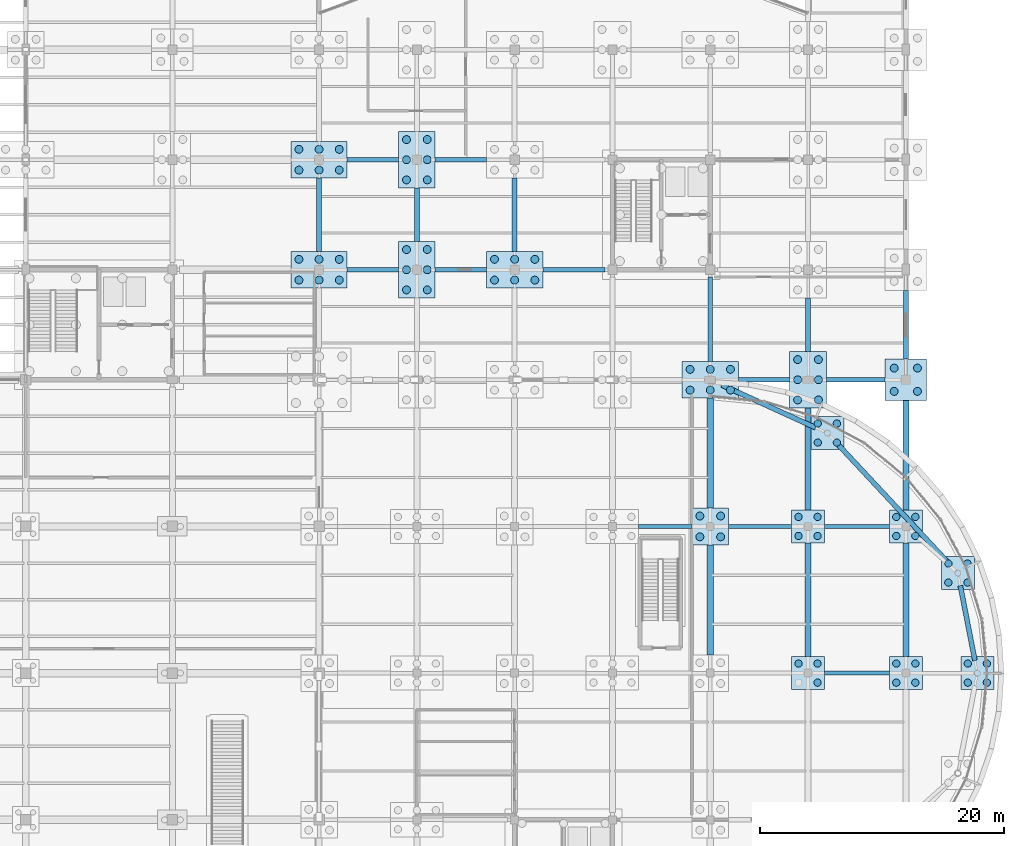
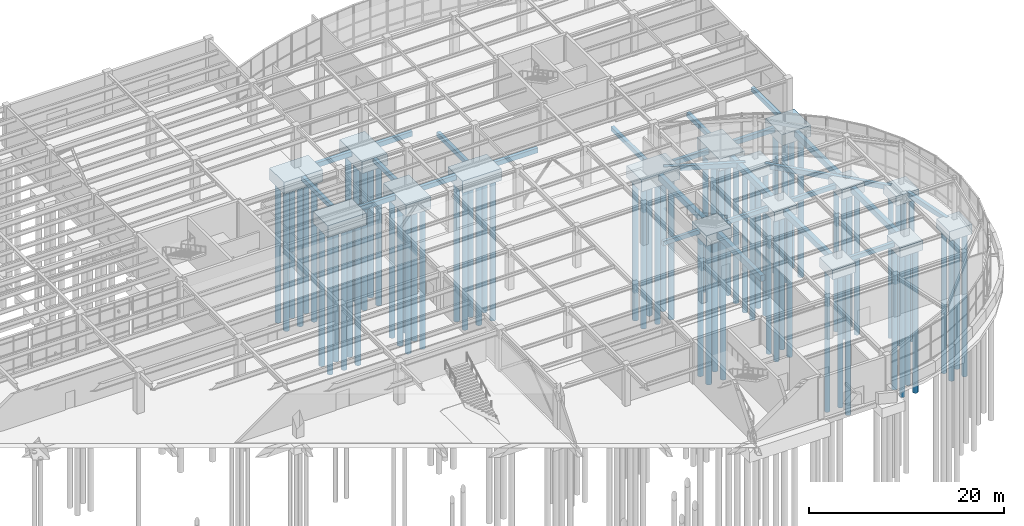
# One storey, part 9 of 85: 77 piles, 42 footings.
"""IFC4 building model written with IfcOpenShell, lengths in metres."""

from ifc_helpers import new_model, si_unit, direction, frame, origin, origin_2d, place, context, subcontext, project, spatial, polyline, rectangle, circle, outline, extrude, material, material_profile, profile_set, type_object, element, save


model = new_model("IFC4")

# Units and contexts
model_context = context("Model", 3, precision=1e-05, world=origin(), true_north=direction((0.0, 1.0)))
body_context = subcontext(model_context, "Body", "Model", "MODEL_VIEW")
ifc_project = project(units=[si_unit("LENGTHUNIT", "METRE"), si_unit("AREAUNIT", "SQUARE_METRE"), si_unit("VOLUMEUNIT", "CUBIC_METRE"), si_unit("PLANEANGLEUNIT", "RADIAN"), si_unit("MASSUNIT", "GRAM", prefix="KILO")], contexts=[model_context])

# Site, building, storey
site_placement = place(None, origin())
site = spatial("IfcSite", under=ifc_project, at=site_placement, CompositionType="ELEMENT")
building_placement = place(site_placement, origin())
building = spatial("IfcBuilding", under=site, at=building_placement, Name="Keelwater Ferry Terminal", CompositionType="ELEMENT")
storey_placement = place(building_placement, origin())
storey = spatial("IfcBuildingStorey", under=building, at=storey_placement, Name="L00", CompositionType="ELEMENT", Elevation=0.0)

# Piles
ifc_material_1 = material(Name="Concrete C45/55", Category="concrete")
ifc_material_profile_1 = material_profile(ifc_material_1, circle(Radius=0.324951171875, at=origin_2d()), Name="PILE D650")
ifc_profile_set_1 = profile_set([ifc_material_profile_1], Name="Concrete C45/55")
pile_type_1 = type_object("IfcPileType", Name="P2 PILE D650", PredefinedType="DRIVEN", material=ifc_profile_set_1)
for number, where, z_axis, x_axis, name in (
    (1, (130.35009765625, 98.14990234375, -1.800048828125), (0.0, 0.0, -1.0), (1.0, 0.0, 0.0), "Driven Pile 0375"),
    (2, (132.0, 98.14990234375, -1.800048828125), (0.0, 0.0, -1.0), (1.0, 0.0, 0.0), "Driven Pile 0376"),
    (3, (133.64990234375, 98.14990234375, -1.800048828125), (0.0, 0.0, -1.0), (1.0, 0.0, 0.0), "Driven Pile 0377"),
    (4, (130.35009765625, 99.85009765625, -1.800048828125), (0.0, 0.0, -1.0), (1.0, 0.0, 0.0), "Driven Pile 0378"),
    (5, (132.0, 99.85009765625, -1.800048828125), (0.0, 0.0, -1.0), (1.0, 0.0, 0.0), "Driven Pile 0379"),
    (6, (133.64990234375, 99.85009765625, -1.800048828125), (0.0, 0.0, -1.0), (1.0, 0.0, 0.0), "Driven Pile 0380"),
    (7, (130.35009765625, 107.14990234375, -1.800048828125), (0.0, 0.0, -1.0), (1.0, 0.0, 0.0), "Driven Pile 0381"),
    (8, (132.0, 107.14990234375, -1.800048828125), (0.0, 0.0, -1.0), (1.0, 0.0, 0.0), "Driven Pile 0382"),
    (9, (133.64990234375, 107.14990234375, -1.800048828125), (0.0, 0.0, -1.0), (1.0, 0.0, 0.0), "Driven Pile 0383"),
    (10, (130.35009765625, 108.85009765625, -1.800048828125), (0.0, 0.0, -1.0), (1.0, 0.0, 0.0), "Driven Pile 0384"),
    (11, (132.0, 108.85009765625, -1.800048828125), (0.0, 0.0, -1.0), (1.0, 0.0, 0.0), "Driven Pile 0385"),
    (12, (133.64990234375, 108.85009765625, -1.800048828125), (0.0, 0.0, -1.0), (1.0, 0.0, 0.0), "Driven Pile 0386"),
    (13, (139.14990234375, 97.35009765625, -1.800048828125), (0.0, 0.0, -1.0), (1.0, 0.0, 0.0), "Driven Pile 0433"),
    (14, (140.85009765625, 97.35009765625, -1.800048828125), (0.0, 0.0, -1.0), (1.0, 0.0, 0.0), "Driven Pile 0434"),
    (15, (139.14990234375, 99.0, -1.800048828125), (0.0, 0.0, -1.0), (1.0, 0.0, 0.0), "Driven Pile 0435"),
    (16, (140.85009765625, 99.0, -1.800048828125), (0.0, 0.0, -1.0), (1.0, 0.0, 0.0), "Driven Pile 0436"),
    (17, (139.14990234375, 100.64990234375, -1.800048828125), (0.0, 0.0, -1.0), (1.0, 0.0, 0.0), "Driven Pile 0437"),
    (18, (140.85009765625, 100.64990234375, -1.800048828125), (0.0, 0.0, -1.0), (1.0, 0.0, 0.0), "Driven Pile 0438"),
    (19, (139.14990234375, 106.35009765625, -1.800048828125), (0.0, 0.0, -1.0), (1.0, 0.0, 0.0), "Driven Pile 0439"),
    (20, (140.85009765625, 106.35009765625, -1.800048828125), (0.0, 0.0, -1.0), (1.0, 0.0, 0.0), "Driven Pile 0440"),
    (21, (139.14990234375, 108.0, -1.800048828125), (0.0, 0.0, -1.0), (1.0, 0.0, 0.0), "Driven Pile 0441"),
    (22, (140.85009765625, 108.0, -1.800048828125), (0.0, 0.0, -1.0), (1.0, 0.0, 0.0), "Driven Pile 0442"),
    (23, (139.14990234375, 109.64990234375, -1.800048828125), (0.0, 0.0, -1.0), (1.0, 0.0, 0.0), "Driven Pile 0443"),
    (24, (140.85009765625, 109.64990234375, -1.800048828125), (0.0, 0.0, -1.0), (1.0, 0.0, 0.0), "Driven Pile 0444"),
    (25, (146.35009765625, 98.14990234375, -1.800048828125), (0.0, 0.0, -1.0), (1.0, 0.0, 0.0), "Driven Pile 0473"),
    (26, (148.0, 98.14990234375, -1.800048828125), (0.0, 0.0, -1.0), (1.0, 0.0, 0.0), "Driven Pile 0474"),
    (27, (149.64990234375, 98.14990234375, -1.800048828125), (0.0, 0.0, -1.0), (1.0, 0.0, 0.0), "Driven Pile 0475"),
    (28, (146.35009765625, 99.85009765625, -1.800048828125), (0.0, 0.0, -1.0), (1.0, 0.0, 0.0), "Driven Pile 0476"),
    (29, (148.0, 99.85009765625, -1.800048828125), (0.0, 0.0, -1.0), (1.0, 0.0, 0.0), "Driven Pile 0477"),
    (30, (149.64990234375, 99.85009765625, -1.800048828125), (0.0, 0.0, -1.0), (1.0, 0.0, 0.0), "Driven Pile 0478"),
):
    element("IfcPile", number, at=place(storey_placement, frame(where, z_axis=z_axis, x_axis=x_axis)), inside=storey, type_object=pile_type_1, Name=name, PredefinedType="DRIVEN", context=body_context, shape_type="SweptSolid", body=[
        extrude(circle(Radius=0.324951171875, at=origin_2d()), origin(), (0.0, 0.0, 1.0), 17.699951171875),
    ])
for number, where, z_axis, x_axis, name in (
    (31, (163.14990234375, 77.14990234375, -1.60009765625), (0.0, 0.0, -1.0), (1.0, 0.0, 0.0), "Driven Pile 0527"),
    (32, (164.85009765625, 77.14990234375, -1.60009765625), (0.0, 0.0, -1.0), (1.0, 0.0, 0.0), "Driven Pile 0528"),
    (33, (163.14990234375, 78.85009765625, -1.60009765625), (0.0, 0.0, -1.0), (1.0, 0.0, 0.0), "Driven Pile 0529"),
    (34, (164.85009765625, 78.85009765625, -1.60009765625), (0.0, 0.0, -1.0), (1.0, 0.0, 0.0), "Driven Pile 0530"),
):
    element("IfcPile", number, at=place(storey_placement, frame(where, z_axis=z_axis, x_axis=x_axis)), inside=storey, type_object=pile_type_1, Name=name, PredefinedType="DRIVEN", context=body_context, shape_type="SweptSolid", body=[
        extrude(circle(Radius=0.324951171875, at=origin_2d()), origin(), (0.0, 0.0, 1.0), 17.89990234375),
    ])
for number, where, z_axis, x_axis, name in (
    (35, (162.35009765625, 89.14990234375, -1.800048828125), (0.0, 0.0, -1.0), (1.0, 0.0, 0.0), "Driven Pile 0531"),
    (36, (164.0, 89.14990234375, -1.800048828125), (0.0, 0.0, -1.0), (1.0, 0.0, 0.0), "Driven Pile 0532"),
    (37, (165.64990234375, 89.14990234375, -1.800048828125), (0.0, 0.0, -1.0), (1.0, 0.0, 0.0), "Driven Pile 0533"),
    (38, (162.35009765625, 90.85009765625, -1.800048828125), (0.0, 0.0, -1.0), (1.0, 0.0, 0.0), "Driven Pile 0534"),
    (39, (164.0, 90.85009765625, -1.800048828125), (0.0, 0.0, -1.0), (1.0, 0.0, 0.0), "Driven Pile 0535"),
    (40, (165.64990234375, 90.85009765625, -1.800048828125), (0.0, 0.0, -1.0), (1.0, 0.0, 0.0), "Driven Pile 0536"),
    (41, (171.14990234375, 88.35009765625, -1.800048828125), (0.0, 0.0, -1.0), (1.0, 0.0, 0.0), "Driven Pile 0555"),
    (42, (172.85009765625, 88.35009765625, -1.800048828125), (0.0, 0.0, -1.0), (1.0, 0.0, 0.0), "Driven Pile 0556"),
    (43, (171.14990234375, 90.0, -1.800048828125), (0.0, 0.0, -1.0), (1.0, 0.0, 0.0), "Driven Pile 0557"),
    (44, (172.85009765625, 90.0, -1.800048828125), (0.0, 0.0, -1.0), (1.0, 0.0, 0.0), "Driven Pile 0558"),
    (45, (171.14990234375, 91.64990234375, -1.800048828125), (0.0, 0.0, -1.0), (1.0, 0.0, 0.0), "Driven Pile 0559"),
    (46, (172.85009765625, 91.64990234375, -1.800048828125), (0.0, 0.0, -1.0), (1.0, 0.0, 0.0), "Driven Pile 0560"),
):
    element("IfcPile", number, at=place(storey_placement, frame(where, z_axis=z_axis, x_axis=x_axis)), inside=storey, type_object=pile_type_1, Name=name, PredefinedType="DRIVEN", context=body_context, shape_type="SweptSolid", body=[
        extrude(circle(Radius=0.324951171875, at=origin_2d()), origin(), (0.0, 0.0, 1.0), 17.699951171875),
    ])
for number, where, z_axis, x_axis, name in (
    (47, (179.050048828125, 89.050048828125, -1.699951171875), (0.0, 0.0, -1.0), (1.0, 0.0, 0.0), "Driven Pile 0595"),
    (48, (180.949951171875, 89.050048828125, -1.699951171875), (0.0, 0.0, -1.0), (1.0, 0.0, 0.0), "Driven Pile 0596"),
    (49, (179.050048828125, 90.949951171875, -1.699951171875), (0.0, 0.0, -1.0), (1.0, 0.0, 0.0), "Driven Pile 0597"),
    (50, (180.949951171875, 90.949951171875, -1.699951171875), (0.0, 0.0, -1.0), (1.0, 0.0, 0.0), "Driven Pile 0598"),
):
    element("IfcPile", number, at=place(storey_placement, frame(where, z_axis=z_axis, x_axis=x_axis)), inside=storey, type_object=pile_type_1, Name=name, PredefinedType="DRIVEN", context=body_context, shape_type="SweptSolid", body=[
        extrude(circle(Radius=0.324951171875, at=origin_2d()), origin(), (0.0, 0.0, 1.0), 17.800048828125),
    ])
ifc_material_2 = material(Name="Concrete C45/55", Category="concrete")
ifc_material_profile_2 = material_profile(ifc_material_2, circle(Radius=0.300048828125, at=origin_2d()), Name="PILE D600")
ifc_profile_set_2 = profile_set([ifc_material_profile_2], Name="Concrete C45/55")
pile_type_2 = type_object("IfcPileType", Name="P3 PILE D600", PredefinedType="DRIVEN", material=ifc_profile_set_2)
for number, where, z_axis, x_axis, name in (
    (51, (172.780029296875, 65.219970703125, -1.5), (0.0, 0.0, -1.0), (1.0, 0.0, 0.0), "Driven Pile 0548"),
    (52, (171.219970703125, 66.780029296875, -1.5), (0.0, 0.0, -1.0), (1.0, 0.0, 0.0), "Driven Pile 0549"),
    (53, (172.780029296875, 66.780029296875, -1.5), (0.0, 0.0, -1.0), (1.0, 0.0, 0.0), "Driven Pile 0550"),
    (54, (171.219970703125, 77.219970703125, -1.5), (0.0, 0.0, -1.0), (1.0, 0.0, 0.0), "Driven Pile 0551"),
    (55, (172.780029296875, 77.219970703125, -1.5), (0.0, 0.0, -1.0), (1.0, 0.0, 0.0), "Driven Pile 0552"),
    (56, (171.219970703125, 78.780029296875, -1.5), (0.0, 0.0, -1.0), (1.0, 0.0, 0.0), "Driven Pile 0553"),
    (57, (172.780029296875, 78.780029296875, -1.5), (0.0, 0.0, -1.0), (1.0, 0.0, 0.0), "Driven Pile 0554"),
    (58, (179.219970703125, 65.219970703125, -1.5), (0.0, 0.0, -1.0), (1.0, 0.0, 0.0), "Driven Pile 0587"),
    (59, (180.780029296875, 65.219970703125, -1.5), (0.0, 0.0, -1.0), (1.0, 0.0, 0.0), "Driven Pile 0588"),
    (60, (179.219970703125, 66.780029296875, -1.5), (0.0, 0.0, -1.0), (1.0, 0.0, 0.0), "Driven Pile 0589"),
    (61, (180.780029296875, 66.780029296875, -1.5), (0.0, 0.0, -1.0), (1.0, 0.0, 0.0), "Driven Pile 0590"),
    (62, (179.219970703125, 77.219970703125, -1.5), (0.0, 0.0, -1.0), (1.0, 0.0, 0.0), "Driven Pile 0591"),
    (63, (180.780029296875, 77.219970703125, -1.5), (0.0, 0.0, -1.0), (1.0, 0.0, 0.0), "Driven Pile 0592"),
    (64, (179.219970703125, 78.780029296875, -1.5), (0.0, 0.0, -1.0), (1.0, 0.0, 0.0), "Driven Pile 0593"),
    (65, (180.780029296875, 78.780029296875, -1.5), (0.0, 0.0, -1.0), (1.0, 0.0, 0.0), "Driven Pile 0594"),
    (66, (172.798095703125, 84.85888671875, -1.5), (0.0, 0.0, -1.0), (1.0, 0.0, 0.0), "Driven Pile 0635"),
    (67, (174.35791015625, 84.85888671875, -1.5), (0.0, 0.0, -1.0), (1.0, 0.0, 0.0), "Driven Pile 0636"),
    (68, (172.798095703125, 86.4189453125, -1.5), (0.0, 0.0, -1.0), (1.0, 0.0, 0.0), "Driven Pile 0637"),
    (69, (174.35791015625, 86.4189453125, -1.5), (0.0, 0.0, -1.0), (1.0, 0.0, 0.0), "Driven Pile 0638"),
    (70, (183.47900390625, 73.405029296875, -1.5), (0.0, 0.0, -1.0), (1.0, 0.0, 0.0), "Driven Pile 0639"),
    (71, (185.0390625, 73.405029296875, -1.5), (0.0, 0.0, -1.0), (1.0, 0.0, 0.0), "Driven Pile 0640"),
    (72, (183.47900390625, 74.965087890625, -1.5), (0.0, 0.0, -1.0), (1.0, 0.0, 0.0), "Driven Pile 0641"),
    (73, (185.0390625, 74.965087890625, -1.5), (0.0, 0.0, -1.0), (1.0, 0.0, 0.0), "Driven Pile 0642"),
    (74, (185.070068359375, 65.219970703125, -1.5), (0.0, 0.0, -1.0), (1.0, 0.0, 0.0), "Driven Pile 0643"),
    (75, (186.6298828125, 65.219970703125, -1.5), (0.0, 0.0, -1.0), (1.0, 0.0, 0.0), "Driven Pile 0644"),
    (76, (185.070068359375, 66.780029296875, -1.5), (0.0, 0.0, -1.0), (1.0, 0.0, 0.0), "Driven Pile 0645"),
    (77, (186.6298828125, 66.780029296875, -1.5), (0.0, 0.0, -1.0), (1.0, 0.0, 0.0), "Driven Pile 0646"),
):
    element("IfcPile", number, at=place(storey_placement, frame(where, z_axis=z_axis, x_axis=x_axis)), inside=storey, type_object=pile_type_2, Name=name, PredefinedType="DRIVEN", context=body_context, shape_type="SweptSolid", body=[
        extrude(circle(Radius=0.300048828125, at=origin_2d()), origin(), (0.0, 0.0, 1.0), 18.0),
    ])

# Footings
ifc_material_3 = material(Name="Concrete C40/50", Category="concrete")
footing_type_1 = type_object("IfcFootingType", Name="PC04 2700x2700x1200", PredefinedType="PILE_CAP", material=ifc_material_3)
footing_1_placement = place(storey_placement, frame((0.0, 0.0, -1.60009765625)))
element("IfcFooting", 78, at=footing_1_placement, inside=storey, type_object=footing_type_1, Name="Pile Cap FT-CAP-0141", PredefinedType="PILE_CAP", context=body_context, shape_type="SweptSolid", body=[
    extrude(outline(polyline([(170.64990234375, 64.64990234375), (173.35009765625, 64.64990234375), (173.35009765625, 67.35009765625), (170.64990234375, 67.35009765625), (170.64990234375, 64.64990234375)])), origin(), (0.0, 0.0, 1.0), 1.2001953125),
])
footing_2_placement = place(storey_placement, frame((0.0, 0.0, -1.60009765625)))
element("IfcFooting", 79, at=footing_2_placement, inside=storey, type_object=footing_type_1, Name="Pile Cap FT-CAP-0142", PredefinedType="PILE_CAP", context=body_context, shape_type="SweptSolid", body=[
    extrude(outline(polyline([(170.64990234375, 76.64990234375), (173.35009765625, 76.64990234375), (173.35009765625, 79.35009765625), (170.64990234375, 79.35009765625), (170.64990234375, 76.64990234375)])), origin(), (0.0, 0.0, 1.0), 1.2001953125),
])
footing_3_placement = place(storey_placement, frame((0.0, 0.0, -1.60009765625)))
element("IfcFooting", 80, at=footing_3_placement, inside=storey, type_object=footing_type_1, Name="Pile Cap FT-CAP-0149", PredefinedType="PILE_CAP", context=body_context, shape_type="SweptSolid", body=[
    extrude(outline(polyline([(178.64990234375, 64.64990234375), (181.35009765625, 64.64990234375), (181.35009765625, 67.35009765625), (178.64990234375, 67.35009765625), (178.64990234375, 64.64990234375)])), origin(), (0.0, 0.0, 1.0), 1.2001953125),
])
footing_4_placement = place(storey_placement, frame((0.0, 0.0, -1.60009765625)))
element("IfcFooting", 81, at=footing_4_placement, inside=storey, type_object=footing_type_1, Name="Pile Cap FT-CAP-0150", PredefinedType="PILE_CAP", context=body_context, shape_type="SweptSolid", body=[
    extrude(outline(polyline([(178.64990234375, 76.64990234375), (181.35009765625, 76.64990234375), (181.35009765625, 79.35009765625), (178.64990234375, 79.35009765625), (178.64990234375, 76.64990234375)])), origin(), (0.0, 0.0, 1.0), 1.2001953125),
])
footing_5_placement = place(storey_placement, frame((0.0, 0.0, -1.60009765625)))
element("IfcFooting", 82, at=footing_5_placement, inside=storey, type_object=footing_type_1, Name="Pile Cap FT-CAP-0161", PredefinedType="PILE_CAP", context=body_context, shape_type="SweptSolid", body=[
    extrude(outline(polyline([(172.22802734375, 84.2890625), (174.927978515625, 84.2890625), (174.927978515625, 86.989013671875), (172.22802734375, 86.989013671875), (172.22802734375, 84.2890625)])), origin(), (0.0, 0.0, 1.0), 1.2001953125),
])
footing_6_placement = place(storey_placement, frame((0.0, 0.0, -1.60009765625)))
element("IfcFooting", 83, at=footing_6_placement, inside=storey, type_object=footing_type_1, Name="Pile Cap FT-CAP-0162", PredefinedType="PILE_CAP", context=body_context, shape_type="SweptSolid", body=[
    extrude(outline(polyline([(182.908935546875, 72.8349609375), (185.60888671875, 72.8349609375), (185.60888671875, 75.534912109375), (182.908935546875, 75.534912109375), (182.908935546875, 72.8349609375)])), origin(), (0.0, 0.0, 1.0), 1.2001953125),
])
footing_7_placement = place(storey_placement, frame((0.0, 0.0, -1.60009765625)))
element("IfcFooting", 84, at=footing_7_placement, inside=storey, type_object=footing_type_1, Name="Pile Cap FT-CAP-0163", PredefinedType="PILE_CAP", context=body_context, shape_type="SweptSolid", body=[
    extrude(outline(polyline([(184.5, 64.64990234375), (187.199951171875, 64.64990234375), (187.199951171875, 67.35009765625), (184.5, 67.35009765625), (184.5, 64.64990234375)])), origin(), (0.0, 0.0, 1.0), 1.2001953125),
])
ifc_material_4 = material(Name="Concrete C40/50", Category="concrete")
footing_type_2 = type_object("IfcFootingType", Name="PC05 3000x3000x1300", PredefinedType="PILE_CAP", material=ifc_material_4)
footing_8_placement = place(storey_placement, frame((0.0, 0.0, -1.699951171875)))
element("IfcFooting", 85, at=footing_8_placement, inside=storey, type_object=footing_type_2, Name="Pile Cap FT-CAP-0137", PredefinedType="PILE_CAP", context=body_context, shape_type="SweptSolid", body=[
    extrude(outline(polyline([(162.5, 76.5), (165.5, 76.5), (165.5, 79.5), (162.5, 79.5), (162.5, 76.5)])), origin(), (0.0, 0.0, 1.0), 1.300048828125),
])
ifc_material_5 = material(Name="Concrete C40/50", Category="concrete")
footing_type_3 = type_object("IfcFootingType", Name="PC06 3400x3400x1400", PredefinedType="PILE_CAP", material=ifc_material_5)
footing_9_placement = place(storey_placement, frame((0.0, 0.0, -1.800048828125)))
element("IfcFooting", 86, at=footing_9_placement, inside=storey, type_object=footing_type_3, Name="Pile Cap FT-CAP-0151", PredefinedType="PILE_CAP", context=body_context, shape_type="SweptSolid", body=[
    extrude(outline(polyline([(178.300048828125, 88.300048828125), (181.699951171875, 88.300048828125), (181.699951171875, 91.699951171875), (178.300048828125, 91.699951171875), (178.300048828125, 88.300048828125)])), origin(), (0.0, 0.0, 1.0), 1.400146484375),
])
ifc_material_6 = material(Name="Concrete C40/50", Category="concrete")
footing_type_4 = type_object("IfcFootingType", Name="PC07 4600x3000x1500", PredefinedType="PILE_CAP", material=ifc_material_6)
footing_10_placement = place(storey_placement, frame((0.0, 0.0, -1.89990234375)))
element("IfcFooting", 87, at=footing_10_placement, inside=storey, type_object=footing_type_4, Name="Pile Cap FT-CAP-0104", PredefinedType="PILE_CAP", context=body_context, shape_type="SweptSolid", body=[
    extrude(outline(polyline([(129.699951171875, 97.5), (134.300048828125, 97.5), (134.300048828125, 100.5), (129.699951171875, 100.5), (129.699951171875, 97.5)])), origin(), (0.0, 0.0, 1.0), 1.5),
])
footing_11_placement = place(storey_placement, frame((0.0, 0.0, -1.89990234375)))
element("IfcFooting", 88, at=footing_11_placement, inside=storey, type_object=footing_type_4, Name="Pile Cap FT-CAP-0105", PredefinedType="PILE_CAP", context=body_context, shape_type="SweptSolid", body=[
    extrude(outline(polyline([(129.699951171875, 106.5), (134.300048828125, 106.5), (134.300048828125, 109.5), (129.699951171875, 109.5), (129.699951171875, 106.5)])), origin(), (0.0, 0.0, 1.0), 1.5),
])
footing_12_placement = place(storey_placement, frame((0.0, 0.0, -1.89990234375)))
element("IfcFooting", 89, at=footing_12_placement, inside=storey, type_object=footing_type_4, Name="Pile Cap FT-CAP-0127", PredefinedType="PILE_CAP", context=body_context, shape_type="SweptSolid", body=[
    extrude(outline(polyline([(145.699951171875, 97.5), (150.300048828125, 97.5), (150.300048828125, 100.5), (145.699951171875, 100.5), (145.699951171875, 97.5)])), origin(), (0.0, 0.0, 1.0), 1.5),
])
footing_13_placement = place(storey_placement, frame((0.0, 0.0, -1.89990234375)))
element("IfcFooting", 90, at=footing_13_placement, inside=storey, type_object=footing_type_4, Name="Pile Cap FT-CAP-0138", PredefinedType="PILE_CAP", context=body_context, shape_type="SweptSolid", body=[
    extrude(outline(polyline([(161.699951171875, 88.5), (166.300048828125, 88.5), (166.300048828125, 91.5), (161.699951171875, 91.5), (161.699951171875, 88.5)])), origin(), (0.0, 0.0, 1.0), 1.5),
])
ifc_material_7 = material(Name="Concrete C40/50", Category="concrete")
footing_type_5 = type_object("IfcFootingType", Name="PC08 3000x4600x1500", PredefinedType="PILE_CAP", material=ifc_material_7)
footing_14_placement = place(storey_placement, frame((0.0, 0.0, -1.89990234375)))
element("IfcFooting", 91, at=footing_14_placement, inside=storey, type_object=footing_type_5, Name="Pile Cap FT-CAP-0117", PredefinedType="PILE_CAP", context=body_context, shape_type="SweptSolid", body=[
    extrude(outline(polyline([(138.5, 96.699951171875), (141.5, 96.699951171875), (141.5, 101.300048828125), (138.5, 101.300048828125), (138.5, 96.699951171875)])), origin(), (0.0, 0.0, 1.0), 1.5),
])
footing_15_placement = place(storey_placement, frame((0.0, 0.0, -1.89990234375)))
element("IfcFooting", 92, at=footing_15_placement, inside=storey, type_object=footing_type_5, Name="Pile Cap FT-CAP-0118", PredefinedType="PILE_CAP", context=body_context, shape_type="SweptSolid", body=[
    extrude(outline(polyline([(138.5, 105.699951171875), (141.5, 105.699951171875), (141.5, 110.300048828125), (138.5, 110.300048828125), (138.5, 105.699951171875)])), origin(), (0.0, 0.0, 1.0), 1.5),
])
footing_16_placement = place(storey_placement, frame((0.0, 0.0, -1.89990234375)))
element("IfcFooting", 93, at=footing_16_placement, inside=storey, type_object=footing_type_5, Name="Pile Cap FT-CAP-0143", PredefinedType="PILE_CAP", context=body_context, shape_type="SweptSolid", body=[
    extrude(outline(polyline([(170.5, 87.699951171875), (173.5, 87.699951171875), (173.5, 92.300048828125), (170.5, 92.300048828125), (170.5, 87.699951171875)])), origin(), (0.0, 0.0, 1.0), 1.5),
])
ifc_material_8 = material(Name="Concrete C40/50", Category="concrete")
ifc_material_profile_3 = material_profile(ifc_material_8, rectangle(XDim=0.5, YDim=0.75, at=origin_2d()), Name="TB 500x750")
ifc_profile_set_3 = profile_set([ifc_material_profile_3], Name="Concrete C40/50")
footing_type_6 = type_object("IfcFootingType", Name="TB2 500x750", PredefinedType="FOOTING_BEAM", material=ifc_profile_set_3)
for number, where, z_axis, x_axis, name in (
    (94, (164.0, 67.5, -0.77490234375), (0.0, 1.0, 0.0), (-1.0, 0.0, 0.0), "Ground Tie Beam 0272"),
    (95, (164.0, 79.5, -0.77490234375), (0.0, 1.0, 0.0), (-1.0, 0.0, 0.0), "Ground Tie Beam 0273"),
):
    element("IfcFooting", number, at=place(storey_placement, frame(where, z_axis=z_axis, x_axis=x_axis)), inside=storey, type_object=footing_type_6, Name=name, PredefinedType="FOOTING_BEAM", context=body_context, shape_type="SweptSolid", body=[
        extrude(rectangle(XDim=0.5, YDim=0.75, at=origin_2d()), origin(), (0.0, 0.0, 1.0), 9.0),
    ])
footing_17_placement = place(storey_placement, frame((172.0, 67.35009765625, -0.77490234375), z_axis=(0.0, 1.0, 0.0), x_axis=(-1.0, 0.0, 0.0)))
element("IfcFooting", 96, at=footing_17_placement, inside=storey, type_object=footing_type_6, Name="Ground Tie Beam 0277", PredefinedType="FOOTING_BEAM", context=body_context, shape_type="SweptSolid", body=[
    extrude(rectangle(XDim=0.5, YDim=0.75, at=origin_2d()), origin(), (0.0, 0.0, 1.0), 9.2998046875),
])
footing_18_placement = place(storey_placement, frame((172.0, 79.35009765625, -0.77490234375), z_axis=(0.0, 1.0, 0.0), x_axis=(-1.0, 0.0, 0.0)))
element("IfcFooting", 97, at=footing_18_placement, inside=storey, type_object=footing_type_6, Name="Ground Tie Beam 0278", PredefinedType="FOOTING_BEAM", context=body_context, shape_type="SweptSolid", body=[
    extrude(rectangle(XDim=0.5, YDim=0.75, at=origin_2d()), origin(), (0.0, 0.0, 1.0), 8.349853515625),
])
footing_19_placement = place(storey_placement, frame((180.0, 67.35009765625, -0.77490234375), z_axis=(0.0, 1.0, 0.0), x_axis=(-1.0, 0.0, 0.0)))
element("IfcFooting", 98, at=footing_19_placement, inside=storey, type_object=footing_type_6, Name="Ground Tie Beam 0284", PredefinedType="FOOTING_BEAM", context=body_context, shape_type="SweptSolid", body=[
    extrude(rectangle(XDim=0.5, YDim=0.75, at=origin_2d()), origin(), (0.0, 0.0, 1.0), 9.2998046875),
])
footing_20_placement = place(storey_placement, frame((180.0, 79.35009765625, -0.77490234375), z_axis=(0.0, 1.0, 0.0), x_axis=(-1.0, 0.0, 0.0)))
element("IfcFooting", 99, at=footing_20_placement, inside=storey, type_object=footing_type_6, Name="Ground Tie Beam 0285", PredefinedType="FOOTING_BEAM", context=body_context, shape_type="SweptSolid", body=[
    extrude(rectangle(XDim=0.5, YDim=0.75, at=origin_2d()), origin(), (0.0, 0.0, 1.0), 8.949951171875),
])
ifc_material_9 = material(Name="Concrete C40/50", Category="concrete")
ifc_material_profile_4 = material_profile(ifc_material_9, rectangle(XDim=0.39990234375, YDim=0.60009765625, at=origin_2d()), Name="TB 400x600")
ifc_profile_set_4 = profile_set([ifc_material_profile_4], Name="Concrete C40/50")
footing_type_7 = type_object("IfcFootingType", Name="TB5 400x600", PredefinedType="FOOTING_BEAM", material=ifc_profile_set_4)
footing_21_placement = place(storey_placement, frame((166.300048828125, 90.0, -0.699951171875), z_axis=(1.0, 0.0, 0.0), x_axis=(0.0, 1.0, 0.0)))
element("IfcFooting", 100, at=footing_21_placement, inside=storey, type_object=footing_type_7, Name="Ground Tie Beam 0094", PredefinedType="FOOTING_BEAM", context=body_context, shape_type="SweptSolid", body=[
    extrude(rectangle(XDim=0.39990234375, YDim=0.60009765625, at=origin_2d()), origin(), (0.0, 0.0, 1.0), 4.199951171875),
])
footing_22_placement = place(storey_placement, frame((173.5, 90.0, -0.699951171875), z_axis=(1.0, 0.0, 0.0), x_axis=(0.0, 1.0, 0.0)))
element("IfcFooting", 101, at=footing_22_placement, inside=storey, type_object=footing_type_7, Name="Ground Tie Beam 0095", PredefinedType="FOOTING_BEAM", context=body_context, shape_type="SweptSolid", body=[
    extrude(rectangle(XDim=0.39990234375, YDim=0.60009765625, at=origin_2d()), origin(), (0.0, 0.0, 1.0), 4.800048828125),
])
for number, where, z_axis, x_axis, name in (
    (102, (134.300048828125, 99.0, -0.699951171875), (1.0, 0.0, 0.0), (0.0, 1.0, 0.0), "Ground Tie Beam 0105"),
    (103, (141.5, 99.0, -0.699951171875), (1.0, 0.0, 0.0), (0.0, 1.0, 0.0), "Ground Tie Beam 0106"),
):
    element("IfcFooting", number, at=place(storey_placement, frame(where, z_axis=z_axis, x_axis=x_axis)), inside=storey, type_object=footing_type_7, Name=name, PredefinedType="FOOTING_BEAM", context=body_context, shape_type="SweptSolid", body=[
        extrude(rectangle(XDim=0.39990234375, YDim=0.60009765625, at=origin_2d()), origin(), (0.0, 0.0, 1.0), 4.199951171875),
    ])
footing_23_placement = place(storey_placement, frame((150.300048828125, 99.0, -0.699951171875), z_axis=(1.0, 0.0, 0.0), x_axis=(0.0, 1.0, 0.0)))
element("IfcFooting", 104, at=footing_23_placement, inside=storey, type_object=footing_type_7, Name="Ground Tie Beam 0107", PredefinedType="FOOTING_BEAM", context=body_context, shape_type="SweptSolid", body=[
    extrude(rectangle(XDim=0.39990234375, YDim=0.60009765625, at=origin_2d()), origin(), (0.0, 0.0, 1.0), 5.099853515625),
])
for number, where, z_axis, x_axis, name in (
    (105, (134.300048828125, 108.0, -0.699951171875), (1.0, 0.0, 0.0), (0.0, 1.0, 0.0), "Ground Tie Beam 0120"),
    (106, (141.5, 108.0, -0.699951171875), (1.0, 0.0, 0.0), (0.0, 1.0, 0.0), "Ground Tie Beam 0121"),
):
    element("IfcFooting", number, at=place(storey_placement, frame(where, z_axis=z_axis, x_axis=x_axis)), inside=storey, type_object=footing_type_7, Name=name, PredefinedType="FOOTING_BEAM", context=body_context, shape_type="SweptSolid", body=[
        extrude(rectangle(XDim=0.39990234375, YDim=0.60009765625, at=origin_2d()), origin(), (0.0, 0.0, 1.0), 4.199951171875),
    ])
footing_24_placement = place(storey_placement, frame((164.9560546875, 89.56494140625, -0.699951171875), z_axis=(0.910079402267, -0.414433929077, 0.0), x_axis=(0.414433929077, 0.910079402267, 0.0)))
element("IfcFooting", 107, at=footing_24_placement, inside=storey, type_object=footing_type_7, Name="Ground Tie Beam 0296", PredefinedType="FOOTING_BEAM", context=body_context, shape_type="SweptSolid", body=[
    extrude(rectangle(XDim=0.39990234375, YDim=0.60009765625, at=origin_2d()), origin(), (0.0, 0.0, 1.0), 8.42333984375),
])
footing_25_placement = place(storey_placement, frame((174.2939453125, 84.87109375, -0.699951171875), z_axis=(0.682003893174, -0.73134854187, 0.0), x_axis=(0.73134854187, 0.682003893174, 0.0)))
element("IfcFooting", 108, at=footing_25_placement, inside=storey, type_object=footing_type_7, Name="Ground Tie Beam 0297", PredefinedType="FOOTING_BEAM", context=body_context, shape_type="SweptSolid", body=[
    extrude(rectangle(XDim=0.39990234375, YDim=0.60009765625, at=origin_2d()), origin(), (0.0, 0.0, 1.0), 13.5615234375),
])
footing_26_placement = place(storey_placement, frame((184.458984375, 73.154052734375, -0.699951171875), z_axis=(0.190919942983, -0.981605610911, 0.0), x_axis=(0.981605610911, 0.190919942983, 0.0)))
element("IfcFooting", 109, at=footing_26_placement, inside=storey, type_object=footing_type_7, Name="Ground Tie Beam 0298", PredefinedType="FOOTING_BEAM", context=body_context, shape_type="SweptSolid", body=[
    extrude(rectangle(XDim=0.39990234375, YDim=0.60009765625, at=origin_2d()), origin(), (0.0, 0.0, 1.0), 6.23779296875),
])
ifc_material_10 = material(Name="Concrete C40/50", Category="concrete")
ifc_material_profile_5 = material_profile(ifc_material_10, rectangle(XDim=0.39990234375, YDim=0.550048828125, at=origin_2d()), Name="TB 400x550")
ifc_profile_set_5 = profile_set([ifc_material_profile_5], Name="Concrete C40/50")
footing_type_8 = type_object("IfcFootingType", Name="TB6 400x550", PredefinedType="FOOTING_BEAM", material=ifc_profile_set_5)
footing_27_placement = place(storey_placement, frame((132.0, 100.5, -0.675048828125), z_axis=(0.0, 1.0, 0.0), x_axis=(-1.0, 0.0, 0.0)))
element("IfcFooting", 110, at=footing_27_placement, inside=storey, type_object=footing_type_8, Name="Ground Tie Beam 0241", PredefinedType="FOOTING_BEAM", context=body_context, shape_type="SweptSolid", body=[
    extrude(rectangle(XDim=0.39990234375, YDim=0.550048828125, at=origin_2d()), origin(), (0.0, 0.0, 1.0), 6.0),
])
footing_28_placement = place(storey_placement, frame((140.0, 101.300048828125, -0.675048828125), z_axis=(0.0, 1.0, 0.0), x_axis=(-1.0, 0.0, 0.0)))
element("IfcFooting", 111, at=footing_28_placement, inside=storey, type_object=footing_type_8, Name="Ground Tie Beam 0253", PredefinedType="FOOTING_BEAM", context=body_context, shape_type="SweptSolid", body=[
    extrude(rectangle(XDim=0.39990234375, YDim=0.550048828125, at=origin_2d()), origin(), (0.0, 0.0, 1.0), 4.39990234375),
])
footing_29_placement = place(storey_placement, frame((148.0, 100.5, -0.675048828125), z_axis=(0.0, 1.0, 0.0), x_axis=(-1.0, 0.0, 0.0)))
element("IfcFooting", 112, at=footing_29_placement, inside=storey, type_object=footing_type_8, Name="Ground Tie Beam 0263", PredefinedType="FOOTING_BEAM", context=body_context, shape_type="SweptSolid", body=[
    extrude(rectangle(XDim=0.39990234375, YDim=0.550048828125, at=origin_2d()), origin(), (0.0, 0.0, 1.0), 6.0),
])
footing_30_placement = place(storey_placement, frame((164.0, 91.5, -0.675048828125), z_axis=(0.0, 1.0, 0.0), x_axis=(-1.0, 0.0, 0.0)))
element("IfcFooting", 113, at=footing_30_placement, inside=storey, type_object=footing_type_8, Name="Ground Tie Beam 0274", PredefinedType="FOOTING_BEAM", context=body_context, shape_type="SweptSolid", body=[
    extrude(rectangle(XDim=0.39990234375, YDim=0.550048828125, at=origin_2d()), origin(), (0.0, 0.0, 1.0), 6.89990234375),
])
footing_31_placement = place(storey_placement, frame((172.0, 92.300048828125, -0.675048828125), z_axis=(0.0, 1.0, 0.0), x_axis=(-1.0, 0.0, 0.0)))
element("IfcFooting", 114, at=footing_31_placement, inside=storey, type_object=footing_type_8, Name="Ground Tie Beam 0279", PredefinedType="FOOTING_BEAM", context=body_context, shape_type="SweptSolid", body=[
    extrude(rectangle(XDim=0.39990234375, YDim=0.550048828125, at=origin_2d()), origin(), (0.0, 0.0, 1.0), 4.39990234375),
])
footing_32_placement = place(storey_placement, frame((180.0, 91.699951171875, -0.675048828125), z_axis=(0.0, 1.0, 0.0), x_axis=(-1.0, 0.0, 0.0)))
element("IfcFooting", 115, at=footing_32_placement, inside=storey, type_object=footing_type_8, Name="Ground Tie Beam 0286", PredefinedType="FOOTING_BEAM", context=body_context, shape_type="SweptSolid", body=[
    extrude(rectangle(XDim=0.39990234375, YDim=0.550048828125, at=origin_2d()), origin(), (0.0, 0.0, 1.0), 5.60009765625),
])
ifc_material_11 = material(Name="Concrete C40/50", Category="concrete")
ifc_material_profile_6 = material_profile(ifc_material_11, rectangle(XDim=0.35009765625, YDim=0.550048828125, at=origin_2d()), Name="TB 350x550")
ifc_profile_set_6 = profile_set([ifc_material_profile_6], Name="Concrete C40/50")
footing_type_9 = type_object("IfcFootingType", Name="TB7 350x550", PredefinedType="FOOTING_BEAM", material=ifc_profile_set_6)
footing_33_placement = place(storey_placement, frame((173.35009765625, 66.0, -0.675048828125), z_axis=(1.0, 0.0, 0.0), x_axis=(0.0, 1.0, 0.0)))
element("IfcFooting", 116, at=footing_33_placement, inside=storey, type_object=footing_type_9, Name="Ground Tie Beam 0064", PredefinedType="FOOTING_BEAM", context=body_context, shape_type="SweptSolid", body=[
    extrude(rectangle(XDim=0.35009765625, YDim=0.550048828125, at=origin_2d()), origin(), (0.0, 0.0, 1.0), 5.2998046875),
])
footing_34_placement = place(storey_placement, frame((158.14990234375, 78.0, -0.675048828125), z_axis=(1.0, 0.0, 0.0), x_axis=(0.0, 1.0, 0.0)))
element("IfcFooting", 117, at=footing_34_placement, inside=storey, type_object=footing_type_9, Name="Ground Tie Beam 0079", PredefinedType="FOOTING_BEAM", context=body_context, shape_type="SweptSolid", body=[
    extrude(rectangle(XDim=0.35009765625, YDim=0.550048828125, at=origin_2d()), origin(), (0.0, 0.0, 1.0), 4.35009765625),
])
footing_35_placement = place(storey_placement, frame((165.5, 78.0, -0.675048828125), z_axis=(1.0, 0.0, 0.0), x_axis=(0.0, 1.0, 0.0)))
element("IfcFooting", 118, at=footing_35_placement, inside=storey, type_object=footing_type_9, Name="Ground Tie Beam 0080", PredefinedType="FOOTING_BEAM", context=body_context, shape_type="SweptSolid", body=[
    extrude(rectangle(XDim=0.35009765625, YDim=0.550048828125, at=origin_2d()), origin(), (0.0, 0.0, 1.0), 5.14990234375),
])
footing_36_placement = place(storey_placement, frame((173.35009765625, 78.0, -0.675048828125), z_axis=(1.0, 0.0, 0.0), x_axis=(0.0, 1.0, 0.0)))
element("IfcFooting", 119, at=footing_36_placement, inside=storey, type_object=footing_type_9, Name="Ground Tie Beam 0081", PredefinedType="FOOTING_BEAM", context=body_context, shape_type="SweptSolid", body=[
    extrude(rectangle(XDim=0.35009765625, YDim=0.550048828125, at=origin_2d()), origin(), (0.0, 0.0, 1.0), 5.2998046875),
])

save(model, "model.ifc")
